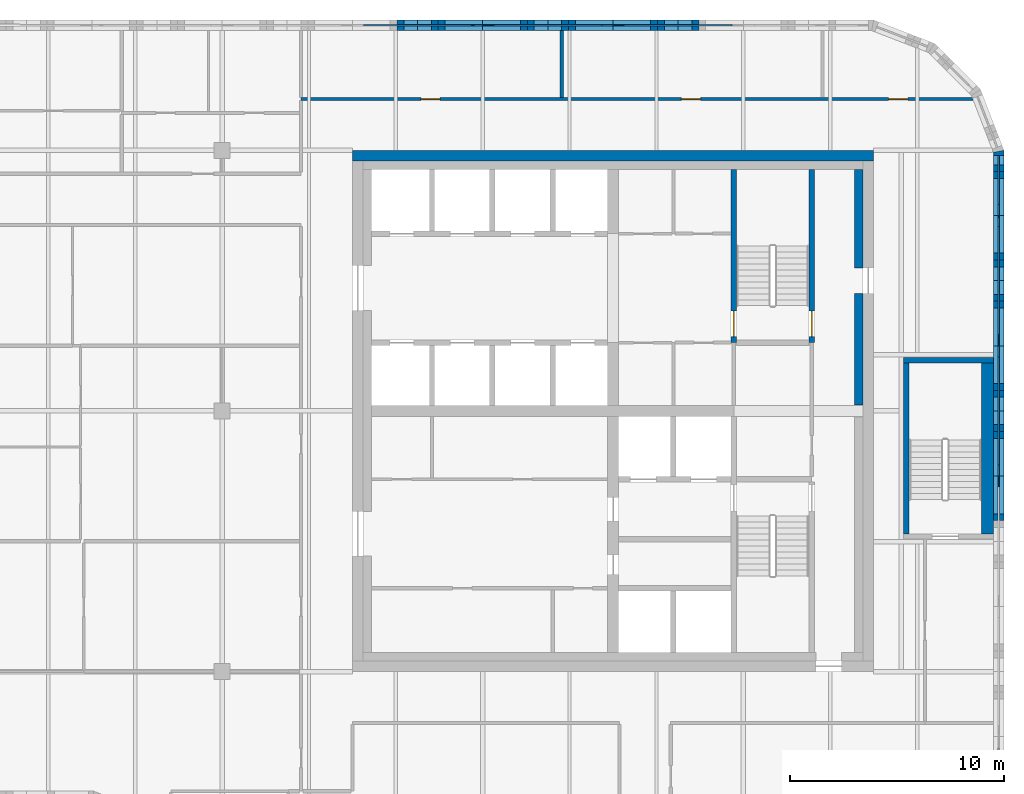
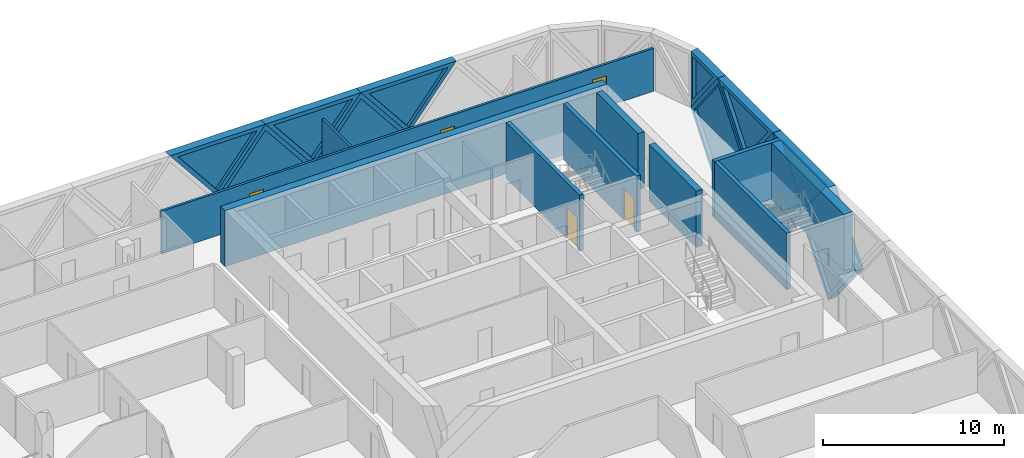
# One storey, part 12 of 15: 21 walls, 11 plates, 5 doors, 16 openings.
"""IFC4 building model written with IfcOpenShell, lengths in metres."""

from ifc_helpers import new_model, si_unit, direction, frame, frame_2d, origin, place, context, subcontext, project, spatial, polyline, rectangle, outline, extrude, faceted_brep, source, transform, mapped, material, layer, layer_set, type_object, element, fill, save


model = new_model("IFC4")

# Units and contexts
model_context = context("Model", 3, precision=1e-05, world=origin(), true_north=direction((0.0, 1.0)))
body_context = subcontext(model_context, "Body", "Model", "MODEL_VIEW")
ifc_project = project(units=[si_unit("LENGTHUNIT", "METRE"), si_unit("AREAUNIT", "SQUARE_METRE"), si_unit("VOLUMEUNIT", "CUBIC_METRE"), si_unit("PLANEANGLEUNIT", "RADIAN"), si_unit("MASSUNIT", "GRAM", prefix="KILO")], contexts=[model_context])

# Site, building, storey
site_placement = place(None, origin())
site = spatial("IfcSite", under=ifc_project, at=site_placement, CompositionType="ELEMENT")
building_placement = place(site_placement, origin())
building = spatial("IfcBuilding", under=site, at=building_placement, Name="Tessera Gate Towers", CompositionType="ELEMENT")
storey_placement = place(building_placement, frame((0.0, 0.0, 228.300048828125)))
storey = spatial("IfcBuildingStorey", under=building, at=storey_placement, Name="L57", CompositionType="ELEMENT", Elevation=228.300048828125)

# Wall, opening, door
ifc_material_1 = material(Name="Concrete C40/50", Category="concrete")
ifc_layer_1 = layer(ifc_material_1, 0.25)
ifc_layer_set_1 = layer_set([ifc_layer_1], Name="CORE ENCLOSURE WALL 250")
wall_type_1 = type_object("IfcWallType", Name="CORE ENCLOSURE WALL 250", PredefinedType="SOLIDWALL", material=ifc_layer_set_1)
wall_1_placement = place(storey_placement, frame((48.35009765625, 47.89990234375, 0.0), z_axis=(0.0, 0.0, 1.0), x_axis=(0.0, -1.0, 0.0)))
wall_1 = element("IfcWall", 1, at=wall_1_placement, inside=storey, type_object=wall_type_1, Name="L57 shaft and stair enclosure wall", PredefinedType="SOLIDWALL", context=body_context, shape_type="SweptSolid", body=[
    extrude(rectangle(XDim=8.099853515625, YDim=0.25, at=frame_2d((4.0498046875, 0.0))), origin(), (0.0, 0.0, 1.0), 3.800048828125),
])
shared_shape_1 = source(origin(), body_context, "Body", "SweptSolid", [
    extrude(rectangle(XDim=1.199951171875, YDim=2.10009765625, at=frame_2d((0.60009765625, 1.050048828125))), frame((0.0, 0.135009765625, 0.0), z_axis=(0.0, -1.0, 0.0), x_axis=(1.0, 0.0, 0.0)), (0.0, 0.0, 1.0), 0.27001953125),
])
opening_1_placement = place(wall_1_placement, frame((6.625, 0.0, 0.0)))
opening_1 = element("IfcOpeningElement", 2, at=opening_1_placement, cuts=wall_1, Name="Opening SD-ST2-1", PredefinedType="OPENING", context=body_context, shape_type="MappedRepresentation", body=[
    mapped(shared_shape_1, transform((0.0, 0.0, 0.0), scale=1.0)),
])
ifc_material_2 = material(Name="Hollow steel fire door", Category="steel")
door_type_1 = type_object("IfcDoorType", Name="CORE DOOR SD 1200x2100", OperationType="NOTDEFINED", PredefinedType="DOOR", material=ifc_material_2)
shared_shape_2 = source(origin(), body_context, "Body", "SweptSolid", [
    extrude(rectangle(XDim=1.199951171875, YDim=2.10009765625, at=frame_2d((0.60009765625, 1.050048828125))), frame((0.0, 0.02490234375, 0.0), z_axis=(0.0, -1.0, 0.0), x_axis=(1.0, 0.0, 0.0)), (0.0, 0.0, 1.0), 0.050048828125),
])
door_1_placement = place(opening_1_placement, origin())
door_1 = element("IfcDoor", 3, at=door_1_placement, inside=storey, type_object=door_type_1, Name="Stair door", OperationType="SINGLE_SWING_RIGHT", OverallHeight=2.10009765625, OverallWidth=1.199951171875, PredefinedType="DOOR", context=body_context, shape_type="MappedRepresentation", body=[
    mapped(shared_shape_2, transform((0.0, 0.0, 0.0), scale=1.0)),
])
fill(opening_1, door_1)

wall_2_placement = place(storey_placement, frame((52.0, 39.800048828125, 0.0), z_axis=(0.0, 0.0, 1.0), x_axis=(0.0, 1.0, 0.0)))
wall_2 = element("IfcWall", 4, at=wall_2_placement, inside=storey, type_object=wall_type_1, Name="L57 shaft and stair enclosure wall", PredefinedType="SOLIDWALL", context=body_context, shape_type="SweptSolid", body=[
    extrude(rectangle(XDim=8.099853515625, YDim=0.25, at=frame_2d((4.0498046875, 0.0))), origin(), (0.0, 0.0, 1.0), 3.800048828125),
])
opening_2_placement = place(wall_2_placement, frame((0.27490234375, 0.0, 0.0)))
opening_2 = element("IfcOpeningElement", 5, at=opening_2_placement, cuts=wall_2, Name="Opening SD-ST2-2", PredefinedType="OPENING", context=body_context, shape_type="MappedRepresentation", body=[
    mapped(shared_shape_1, transform((0.0, 0.0, 0.0), scale=1.0)),
])
door_2_placement = place(opening_2_placement, origin())
door_2 = element("IfcDoor", 6, at=door_2_placement, inside=storey, type_object=door_type_1, Name="Stair door", OperationType="SINGLE_SWING_LEFT", OverallHeight=2.10009765625, OverallWidth=1.199951171875, PredefinedType="DOOR", context=body_context, shape_type="MappedRepresentation", body=[
    mapped(shared_shape_2, transform((0.0, 0.0, 0.0), scale=1.0)),
])
fill(opening_2, door_2)

# Walls
wall_3_placement = place(storey_placement, frame((56.425048828125, 30.85009765625, 0.0), z_axis=(0.0, 0.0, 1.0), x_axis=(0.0, 1.0, 0.0)))
element("IfcWall", 7, at=wall_3_placement, inside=storey, type_object=wall_type_1, Name="L57 ST5 enclosure wall", PredefinedType="SOLIDWALL", context=body_context, shape_type="SweptSolid", body=[
    extrude(rectangle(XDim=8.0, YDim=0.25, at=frame_2d((4.0, 0.0))), origin(), (0.0, 0.0, 1.0), 3.800048828125),
])
wall_4_placement = place(storey_placement, frame((56.300048828125, 38.97509765625, 0.0), z_axis=(0.0, 0.0, 1.0), x_axis=(1.0, 0.0, 0.0)))
element("IfcWall", 8, at=wall_4_placement, inside=storey, type_object=wall_type_1, Name="L57 ST5 enclosure wall", PredefinedType="SOLIDWALL", context=body_context, shape_type="SweptSolid", body=[
    extrude(rectangle(XDim=4.199951171875, YDim=0.25, at=frame_2d((2.10009765625, 0.0))), origin(), (0.0, 0.0, 1.0), 3.800048828125),
])
ifc_material_3 = material(Name="Concrete C40/50", Category="concrete")
ifc_layer_2 = layer(ifc_material_3, 0.550048828125)
ifc_layer_set_2 = layer_set([ifc_layer_2], Name="CORE ENCLOSURE WALL 550")
wall_type_2 = type_object("IfcWallType", Name="CORE ENCLOSURE WALL 550", PredefinedType="SOLIDWALL", material=ifc_layer_set_2)
wall_5_placement = place(storey_placement, frame((60.22509765625, 38.85009765625, 0.0), z_axis=(0.0, 0.0, 1.0), x_axis=(0.0, -1.0, 0.0)))
element("IfcWall", 9, at=wall_5_placement, inside=storey, type_object=wall_type_2, Name="L57 ST5 enclosure wall", PredefinedType="SOLIDWALL", context=body_context, shape_type="SweptSolid", body=[
    extrude(rectangle(XDim=8.0, YDim=0.550048828125, at=frame_2d((4.0, 0.0))), origin(), (0.0, 0.0, 1.0), 3.800048828125),
])
ifc_material_4 = material(Name="Concrete C50/60", Category="concrete")
ifc_layer_3 = layer(ifc_material_4, 0.5)
ifc_layer_set_3 = layer_set([ifc_layer_3], Name="CORE SHEAR WALL 500 C50/60")
wall_type_3 = type_object("IfcWallType", Name="CORE SHEAR WALL 500 C50/60", PredefinedType="SHEAR", material=ifc_layer_set_3)
wall_6_placement = place(storey_placement, frame((30.5, 48.550048828125, 0.0), z_axis=(0.0, 0.0, 1.0), x_axis=(1.0, 0.0, 0.0)))
element("IfcWall", 10, at=wall_6_placement, inside=storey, type_object=wall_type_3, Name="Core wall N L57", PredefinedType="SHEAR", context=body_context, shape_type="SweptSolid", body=[
    extrude(rectangle(XDim=24.39990234375, YDim=0.5, at=frame_2d((12.199951171875, 0.0))), origin(), (0.0, 0.0, 1.0), 3.800048828125),
])
ifc_material_5 = material(Name="Concrete C50/60", Category="concrete")
ifc_layer_4 = layer(ifc_material_5, 0.39990234375)
ifc_layer_set_4 = layer_set([ifc_layer_4], Name="CORE WALL THICKENING 400")
wall_type_4 = type_object("IfcWallType", Name="CORE WALL THICKENING 400", PredefinedType="SOLIDWALL", material=ifc_layer_set_4)
wall_7_placement = place(storey_placement, frame((54.199951171875, 36.8798828125, 0.0), z_axis=(0.0, 0.0, 1.0), x_axis=(0.0, 1.0, 0.0)))
element("IfcWall", 11, at=wall_7_placement, inside=storey, type_object=wall_type_4, Name="Core wall thickening E L57", PredefinedType="SOLIDWALL", context=body_context, shape_type="SweptSolid", body=[
    extrude(rectangle(XDim=5.22021484375, YDim=0.39990234375, at=frame_2d((2.610107421875, 0.0))), origin(), (0.0, 0.0, 1.0), 3.800048828125),
])
wall_8_placement = place(storey_placement, frame((54.199951171875, 43.300048828125, 0.0), z_axis=(0.0, 0.0, 1.0), x_axis=(0.0, 1.0, 0.0)))
element("IfcWall", 12, at=wall_8_placement, inside=storey, type_object=wall_type_4, Name="Core wall thickening E L57", PredefinedType="SOLIDWALL", context=body_context, shape_type="SweptSolid", body=[
    extrude(rectangle(XDim=4.599853515625, YDim=0.39990234375, at=frame_2d((2.2998046875, 0.0))), origin(), (0.0, 0.0, 1.0), 3.800048828125),
])

# Wall, openings, doors
ifc_material_6 = material(Name="Gypsum board on steel studs, mineral wool", Category="steel")
ifc_layer_5 = layer(ifc_material_6, 0.14990234375)
ifc_layer_set_5 = layer_set([ifc_layer_5], Name="CORRIDOR WALL 150")
wall_type_5 = type_object("IfcWallType", Name="CORRIDOR WALL 150", PredefinedType="PARTITIONING", material=ifc_layer_set_5)
wall_9_placement = place(storey_placement, frame((28.10009765625, 51.199951171875, 0.0), z_axis=(0.0, 0.0, 1.0), x_axis=(1.0, 0.0, 0.0)))
wall_9 = element("IfcWall", 13, at=wall_9_placement, inside=storey, type_object=wall_type_5, Name="T1-L57-PW-052", PredefinedType="PARTITIONING", context=body_context, shape_type="SweptSolid", body=[
    extrude(rectangle(XDim=31.438232421875, YDim=0.14990234375, at=frame_2d((15.71923828125, 0.0))), origin(), (0.0, 0.0, 1.0), 2.887939453125),
])
shared_shape_3 = source(origin(), body_context, "Body", "SweptSolid", [
    extrude(rectangle(XDim=0.89990234375, YDim=2.10009765625, at=frame_2d((0.449951171875, 1.050048828125))), frame((0.0, 0.0849609375, 0.0), z_axis=(0.0, -1.0, 0.0), x_axis=(1.0, 0.0, 0.0)), (0.0, 0.0, 1.0), 0.169921875),
])
opening_3_placement = place(wall_9_placement, frame((27.5009765625, 0.0, 0.0)))
opening_3 = element("IfcOpeningElement", 14, at=opening_3_placement, cuts=wall_9, Name="Opening D890FD60-A20-05", PredefinedType="OPENING", context=body_context, shape_type="MappedRepresentation", body=[
    mapped(shared_shape_3, transform((0.0, 0.0, 0.0), scale=1.0)),
])
opening_4_placement = place(wall_9_placement, frame((5.60009765625, 0.0, 0.0)))
opening_4 = element("IfcOpeningElement", 15, at=opening_4_placement, cuts=wall_9, Name="Opening D890FD60-A20-09", PredefinedType="OPENING", context=body_context, shape_type="MappedRepresentation", body=[
    mapped(shared_shape_3, transform((0.0, 0.0, 0.0), scale=1.0)),
])
opening_5_placement = place(wall_9_placement, frame((17.800048828125, 0.0, 0.0)))
opening_5 = element("IfcOpeningElement", 16, at=opening_5_placement, cuts=wall_9, Name="Opening D890FD60-A20-11", PredefinedType="OPENING", context=body_context, shape_type="MappedRepresentation", body=[
    mapped(shared_shape_3, transform((0.0, 0.0, 0.0), scale=1.0)),
])
ifc_material_7 = material(Name="Timber door leaf in steel frame", Category="steel")
door_type_2 = type_object("IfcDoorType", Name="CORRIDOR DOOR 900 FD60", OperationType="NOTDEFINED", PredefinedType="DOOR", material=ifc_material_7)
shared_shape_4 = source(origin(), body_context, "Body", "SweptSolid", [
    extrude(rectangle(XDim=0.89990234375, YDim=2.10009765625, at=frame_2d((0.449951171875, 1.050048828125))), frame((0.0, 0.02490234375, 0.0), z_axis=(0.0, -1.0, 0.0), x_axis=(1.0, 0.0, 0.0)), (0.0, 0.0, 1.0), 0.050048828125),
])
door_3_placement = place(opening_3_placement, origin())
door_3 = element("IfcDoor", 17, at=door_3_placement, inside=storey, type_object=door_type_2, Name="T1-L57-PD-017", OperationType="SINGLE_SWING_LEFT", OverallHeight=2.10009765625, OverallWidth=0.89990234375, PredefinedType="DOOR", context=body_context, shape_type="MappedRepresentation", body=[
    mapped(shared_shape_4, transform((0.0, 0.0, 0.0), scale=1.0)),
])
fill(opening_3, door_3)
door_4_placement = place(opening_4_placement, origin())
door_4 = element("IfcDoor", 18, at=door_4_placement, inside=storey, type_object=door_type_2, Name="T1-L57-PD-024", OperationType="SINGLE_SWING_LEFT", OverallHeight=2.10009765625, OverallWidth=0.89990234375, PredefinedType="DOOR", context=body_context, shape_type="MappedRepresentation", body=[
    mapped(shared_shape_4, transform((0.0, 0.0, 0.0), scale=1.0)),
])
fill(opening_4, door_4)
door_5_placement = place(opening_5_placement, origin())
door_5 = element("IfcDoor", 19, at=door_5_placement, inside=storey, type_object=door_type_2, Name="T1-L57-PD-026", OperationType="SINGLE_SWING_LEFT", OverallHeight=2.10009765625, OverallWidth=0.89990234375, PredefinedType="DOOR", context=body_context, shape_type="MappedRepresentation", body=[
    mapped(shared_shape_4, transform((0.0, 0.0, 0.0), scale=1.0)),
])
fill(opening_5, door_5)

# Wall
ifc_material_8 = material(Name="Gypsum board on steel studs, mineral wool", Category="steel")
ifc_layer_6 = layer(ifc_material_8, 0.14990234375)
ifc_layer_set_6 = layer_set([ifc_layer_6], Name="TENANCY WALL 150")
wall_type_6 = type_object("IfcWallType", Name="TENANCY WALL 150", PredefinedType="PARTITIONING", material=ifc_layer_set_6)
wall_10_placement = place(storey_placement, frame((40.300048828125, 51.27587890625, 0.0), z_axis=(0.0, 0.0, 1.0), x_axis=(0.0, 1.0, 0.0)))
element("IfcWall", 20, at=wall_10_placement, inside=storey, type_object=wall_type_6, Name="T1-L57-PW-054", PredefinedType="PARTITIONING", context=body_context, shape_type="SweptSolid", body=[
    extrude(rectangle(XDim=3.1240234375, YDim=0.14990234375, at=frame_2d((1.56201171875, 0.0))), origin(), (0.0, 0.0, 1.0), 2.887939453125),
])

# Wall, opening, plate
ifc_material_9 = material(Name="Precast concrete C60/75 white", Category="concrete")
ifc_layer_7 = layer(ifc_material_9, 0.5)
ifc_layer_set_7 = layer_set([ifc_layer_7], Name="TS1 tessera")
wall_type_7 = type_object("IfcWallType", Name="TS1 tessera", PredefinedType="SOLIDWALL", material=ifc_layer_set_7)
shared_shape_5 = source(origin(), body_context, "Body", "Brep", [
    faceted_brep([(3.050048828125, -0.25, 0.0), (6.099853515625, -0.25, 3.7998046875), (6.099853515625, -0.25, 3.80029296875), (3.050048828125, -0.25, 7.60009765625), (0.0, -0.25, 3.800048828125), (0.0, 0.25, 3.800048828125), (3.050048828125, 0.25, 7.60009765625), (6.099853515625, 0.25, 3.80029296875), (6.099853515625, 0.25, 3.7998046875), (3.050048828125, 0.25, 0.0)], [[[0, 1, 2, 3, 4]], [[5, 6, 7, 8, 9]], [[9, 8, 1, 0]], [[7, 6, 3, 2]], [[6, 5, 4, 3]], [[5, 9, 0, 4]], [[1, 8, 7, 2]]]),
])
wall_11_placement = place(storey_placement, frame((60.75, 36.60009765625, -3.800048828125), z_axis=(0.0, 0.0, 1.0), x_axis=(0.0, 1.0, 0.0)))
wall_11 = element("IfcWall", 21, at=wall_11_placement, inside=storey, type_object=wall_type_7, Name="Precast tessera T1 TS1-1020", PredefinedType="SOLIDWALL", context=body_context, shape_type="MappedRepresentation", body=[
    mapped(shared_shape_5, transform((0.0, 0.0, 0.0), scale=1.0)),
])
shared_shape_6 = source(origin(), body_context, "Body", "SweptSolid", [
    extrude(outline(polyline([(3.050048828125, 0.3994140625), (5.779541015625, 3.800048828125), (3.050048828125, 7.20068359375), (0.320556640625, 3.800048828125), (3.050048828125, 0.3994140625)])), frame((0.0, 0.260009765625, 0.0), z_axis=(0.0, -1.0, 0.0), x_axis=(1.0, 0.0, 0.0)), (0.0, 0.0, 1.0), 0.52001953125),
])
opening_6_placement = place(wall_11_placement, origin())
opening_6 = element("IfcOpeningElement", 22, at=opening_6_placement, cuts=wall_11, Name="Opening T1-PL2-2082", PredefinedType="OPENING", context=body_context, shape_type="MappedRepresentation", body=[
    mapped(shared_shape_6, transform((0.0, 0.0, 0.0), scale=1.0)),
])
ifc_material_10 = material(Name="Low-e laminated glass", Category="glass")
ifc_layer_8 = layer(ifc_material_10, 0.06005859375)
ifc_layer_set_8 = layer_set([ifc_layer_8], Name="PL2 rhombic pane")
plate_type_1 = type_object("IfcPlateType", Name="PL2 rhombic pane", PredefinedType="SHEET", material=ifc_layer_set_8)
shared_shape_7 = source(origin(), body_context, "Body", "SweptSolid", [
    extrude(outline(polyline([(3.050048828125, 0.3994140625), (5.779541015625, 3.800048828125), (3.050048828125, 7.20068359375), (0.320556640625, 3.800048828125), (3.050048828125, 0.3994140625)])), frame((0.0, 0.030029296875, 0.0), z_axis=(0.0, -1.0, 0.0), x_axis=(1.0, 0.0, 0.0)), (0.0, 0.0, 1.0), 0.06005859375),
])
plate_1_placement = place(opening_6_placement, origin())
plate_1 = element("IfcPlate", 23, at=plate_1_placement, inside=storey, type_object=plate_type_1, Name="Glass pane T1 PL2-2082", PredefinedType="SHEET", context=body_context, shape_type="MappedRepresentation", body=[
    mapped(shared_shape_7, transform((0.0, 0.0, 0.0), scale=1.0)),
])
fill(opening_6, plate_1)

wall_12_placement = place(storey_placement, frame((39.64990234375, 54.64990234375, -3.800048828125), z_axis=(0.0, 0.0, 1.0), x_axis=(-1.0, 0.0, 0.0)))
wall_12 = element("IfcWall", 24, at=wall_12_placement, inside=storey, type_object=wall_type_7, Name="Precast tessera T1 TS1-1024", PredefinedType="SOLIDWALL", context=body_context, shape_type="MappedRepresentation", body=[
    mapped(shared_shape_5, transform((0.0, 0.0, 0.0), scale=1.0)),
])
opening_7_placement = place(wall_12_placement, origin())
opening_7 = element("IfcOpeningElement", 25, at=opening_7_placement, cuts=wall_12, Name="Opening T1-PL2-2090", PredefinedType="OPENING", context=body_context, shape_type="MappedRepresentation", body=[
    mapped(shared_shape_6, transform((0.0, 0.0, 0.0), scale=1.0)),
])
plate_2_placement = place(opening_7_placement, origin())
plate_2 = element("IfcPlate", 26, at=plate_2_placement, inside=storey, type_object=plate_type_1, Name="Glass pane T1 PL2-2090", PredefinedType="SHEET", context=body_context, shape_type="MappedRepresentation", body=[
    mapped(shared_shape_7, transform((0.0, 0.0, 0.0), scale=1.0)),
])
fill(opening_7, plate_2)

shared_shape_8 = source(origin(), body_context, "Body", "SweptSolid", [
    extrude(outline(polyline([(3.050048828125, 0.0), (6.10009765625, 3.800048828125), (3.050048828125, 7.60009765625), (0.0, 3.800048828125), (3.050048828125, 0.0)])), frame((0.0, 0.25, 0.0), z_axis=(0.0, -1.0, 0.0), x_axis=(1.0, 0.0, 0.0)), (0.0, 0.0, 1.0), 0.5),
])
wall_13_placement = place(storey_placement, frame((60.75, 30.5, -3.800048828125), z_axis=(0.0, 0.0, 1.0), x_axis=(0.0, 1.0, 0.0)))
wall_13 = element("IfcWall", 27, at=wall_13_placement, inside=storey, type_object=wall_type_7, Name="Precast tessera T1 TS1-1019", PredefinedType="SOLIDWALL", context=body_context, shape_type="MappedRepresentation", body=[
    mapped(shared_shape_8, transform((0.0, 0.0, 0.0), scale=1.0)),
])
opening_8_placement = place(wall_13_placement, origin())
opening_8 = element("IfcOpeningElement", 28, at=opening_8_placement, cuts=wall_13, Name="Opening T1-PL2-2081", PredefinedType="OPENING", context=body_context, shape_type="MappedRepresentation", body=[
    mapped(shared_shape_6, transform((0.0, 0.0, 0.0), scale=1.0)),
])
plate_3_placement = place(opening_8_placement, origin())
plate_3 = element("IfcPlate", 29, at=plate_3_placement, inside=storey, type_object=plate_type_1, Name="Glass pane T1 PL2-2081", PredefinedType="SHEET", context=body_context, shape_type="MappedRepresentation", body=[
    mapped(shared_shape_7, transform((0.0, 0.0, 0.0), scale=1.0)),
])
fill(opening_8, plate_3)

wall_14_placement = place(storey_placement, frame((45.75, 54.64990234375, -3.800048828125), z_axis=(0.0, 0.0, 1.0), x_axis=(-1.0, 0.0, 0.0)))
wall_14 = element("IfcWall", 30, at=wall_14_placement, inside=storey, type_object=wall_type_7, Name="Precast tessera T1 TS1-1023", PredefinedType="SOLIDWALL", context=body_context, shape_type="MappedRepresentation", body=[
    mapped(shared_shape_8, transform((0.0, 0.0, 0.0), scale=1.0)),
])
opening_9_placement = place(wall_14_placement, origin())
opening_9 = element("IfcOpeningElement", 31, at=opening_9_placement, cuts=wall_14, Name="Opening T1-PL2-2089", PredefinedType="OPENING", context=body_context, shape_type="MappedRepresentation", body=[
    mapped(shared_shape_6, transform((0.0, 0.0, 0.0), scale=1.0)),
])
plate_4_placement = place(opening_9_placement, origin())
plate_4 = element("IfcPlate", 32, at=plate_4_placement, inside=storey, type_object=plate_type_1, Name="Glass pane T1 PL2-2089", PredefinedType="SHEET", context=body_context, shape_type="MappedRepresentation", body=[
    mapped(shared_shape_7, transform((0.0, 0.0, 0.0), scale=1.0)),
])
fill(opening_9, plate_4)

shared_shape_9 = source(origin(), body_context, "Body", "Brep", [
    faceted_brep([(3.050048828125, -0.25, 0.0), (6.053466796875, -0.25, 3.800048828125), (3.050048828125, -0.25, 7.60009765625), (0.0, -0.25, 3.800048828125), (0.0, 0.25, 3.800048828125), (3.050048828125, 0.25, 7.60009765625), (6.0068359375, 0.25, 3.85888671875), (6.0068359375, 0.25, 3.7412109375), (3.050048828125, 0.25, 0.0), (6.053466796875, 0.0, 3.800048828125)], [[[0, 1, 2, 3]], [[4, 5, 6, 7, 8]], [[8, 7, 9, 1, 0]], [[6, 5, 2, 1, 9]], [[5, 4, 3, 2]], [[4, 8, 0, 3]], [[9, 7, 6]]]),
])
wall_15_placement = place(storey_placement, frame((60.75, 42.699951171875, -3.800048828125), z_axis=(0.0, 0.0, 1.0), x_axis=(0.0, 1.0, 0.0)))
wall_15 = element("IfcWall", 33, at=wall_15_placement, inside=storey, type_object=wall_type_7, Name="Precast tessera T1 TS1-1021", PredefinedType="SOLIDWALL", context=body_context, shape_type="MappedRepresentation", body=[
    mapped(shared_shape_9, transform((0.0, 0.0, 0.0), scale=1.0)),
])
shared_shape_10 = source(origin(), body_context, "Body", "SweptSolid", [
    extrude(outline(polyline([(3.048583984375, 0.4013671875), (5.73486328125, 3.800048828125), (3.048583984375, 7.19873046875), (0.320556640625, 3.800048828125), (3.048583984375, 0.4013671875)])), frame((0.0, 0.260009765625, 0.0), z_axis=(0.0, -1.0, 0.0), x_axis=(1.0, 0.0, 0.0)), (0.0, 0.0, 1.0), 0.52001953125),
])
opening_10_placement = place(wall_15_placement, origin())
opening_10 = element("IfcOpeningElement", 34, at=opening_10_placement, cuts=wall_15, Name="Opening T1-PL2-2083", PredefinedType="OPENING", context=body_context, shape_type="MappedRepresentation", body=[
    mapped(shared_shape_10, transform((0.0, 0.0, 0.0), scale=1.0)),
])
shared_shape_11 = source(origin(), body_context, "Body", "SweptSolid", [
    extrude(outline(polyline([(3.048583984375, 0.4013671875), (5.73486328125, 3.800048828125), (3.048583984375, 7.19873046875), (0.320556640625, 3.800048828125), (3.048583984375, 0.4013671875)])), frame((0.0, 0.030029296875, 0.0), z_axis=(0.0, -1.0, 0.0), x_axis=(1.0, 0.0, 0.0)), (0.0, 0.0, 1.0), 0.06005859375),
])
plate_5_placement = place(opening_10_placement, origin())
plate_5 = element("IfcPlate", 35, at=plate_5_placement, inside=storey, type_object=plate_type_1, Name="Glass pane T1 PL2-2083", PredefinedType="SHEET", context=body_context, shape_type="MappedRepresentation", body=[
    mapped(shared_shape_11, transform((0.0, 0.0, 0.0), scale=1.0)),
])
fill(opening_10, plate_5)

ifc_material_11 = material(Name="Precast concrete C60/75 white", Category="concrete")
ifc_layer_9 = layer(ifc_material_11, 0.5)
ifc_layer_set_9 = layer_set([ifc_layer_9], Name="TS2 half tessera")
wall_type_8 = type_object("IfcWallType", Name="TS2 half tessera", PredefinedType="SOLIDWALL", material=ifc_layer_set_9)
shared_shape_12 = source(origin(), body_context, "Body", "Brep", [
    faceted_brep([(3.050048828125, -0.25, 0.0), (6.099853515625, -0.25, 3.7998046875), (6.099853515625, -0.25, 3.800048828125), (0.0, -0.25, 3.800048828125), (0.0, 0.25, 3.800048828125), (6.099853515625, 0.25, 3.800048828125), (6.099853515625, 0.25, 3.7998046875), (3.050048828125, 0.25, 0.0)], [[[0, 1, 2, 3]], [[4, 5, 6, 7]], [[7, 6, 1, 0]], [[5, 4, 3, 2]], [[4, 7, 0, 3]], [[1, 6, 5, 2]]]),
])
wall_16_placement = place(storey_placement, frame((60.75, 33.550048828125, 0.0), z_axis=(0.0, 0.0, 1.0), x_axis=(0.0, 1.0, 0.0)))
wall_16 = element("IfcWall", 36, at=wall_16_placement, inside=storey, type_object=wall_type_8, Name="Precast half tessera T1 TS2-0261", PredefinedType="SOLIDWALL", context=body_context, shape_type="MappedRepresentation", body=[
    mapped(shared_shape_12, transform((0.0, 0.0, 0.0), scale=1.0)),
])
shared_shape_13 = source(origin(), body_context, "Body", "SweptSolid", [
    extrude(outline(polyline([(3.050048828125, 0.3994140625), (5.578857421875, 3.550048828125), (0.521240234375, 3.550048828125), (3.050048828125, 0.3994140625)])), frame((0.0, 0.260009765625, 0.0), z_axis=(0.0, -1.0, 0.0), x_axis=(1.0, 0.0, 0.0)), (0.0, 0.0, 1.0), 0.52001953125),
])
opening_11_placement = place(wall_16_placement, origin())
opening_11 = element("IfcOpeningElement", 37, at=opening_11_placement, cuts=wall_16, Name="Opening T1-PL1-0529", PredefinedType="OPENING", context=body_context, shape_type="MappedRepresentation", body=[
    mapped(shared_shape_13, transform((0.0, 0.0, 0.0), scale=1.0)),
])
ifc_material_12 = material(Name="Low-e laminated glass", Category="glass")
ifc_layer_10 = layer(ifc_material_12, 0.06005859375)
ifc_layer_set_10 = layer_set([ifc_layer_10], Name="PL1 triangular pane")
plate_type_2 = type_object("IfcPlateType", Name="PL1 triangular pane", PredefinedType="SHEET", material=ifc_layer_set_10)
shared_shape_14 = source(origin(), body_context, "Body", "SweptSolid", [
    extrude(outline(polyline([(3.050048828125, 0.3994140625), (5.578857421875, 3.550048828125), (0.521240234375, 3.550048828125), (3.050048828125, 0.3994140625)])), frame((0.0, 0.030029296875, 0.0), z_axis=(0.0, -1.0, 0.0), x_axis=(1.0, 0.0, 0.0)), (0.0, 0.0, 1.0), 0.06005859375),
])
plate_6_placement = place(opening_11_placement, origin())
plate_6 = element("IfcPlate", 38, at=plate_6_placement, inside=storey, type_object=plate_type_2, Name="Glass pane T1 PL1-0529", PredefinedType="SHEET", context=body_context, shape_type="MappedRepresentation", body=[
    mapped(shared_shape_14, transform((0.0, 0.0, 0.0), scale=1.0)),
])
fill(opening_11, plate_6)

wall_17_placement = place(storey_placement, frame((42.699951171875, 54.64990234375, 0.0), z_axis=(0.0, 0.0, 1.0), x_axis=(-1.0, 0.0, 0.0)))
wall_17 = element("IfcWall", 39, at=wall_17_placement, inside=storey, type_object=wall_type_8, Name="Precast half tessera T1 TS2-0265", PredefinedType="SOLIDWALL", context=body_context, shape_type="MappedRepresentation", body=[
    mapped(shared_shape_12, transform((0.0, 0.0, 0.0), scale=1.0)),
])
opening_12_placement = place(wall_17_placement, origin())
opening_12 = element("IfcOpeningElement", 40, at=opening_12_placement, cuts=wall_17, Name="Opening T1-PL1-0537", PredefinedType="OPENING", context=body_context, shape_type="MappedRepresentation", body=[
    mapped(shared_shape_13, transform((0.0, 0.0, 0.0), scale=1.0)),
])
plate_7_placement = place(opening_12_placement, origin())
plate_7 = element("IfcPlate", 41, at=plate_7_placement, inside=storey, type_object=plate_type_2, Name="Glass pane T1 PL1-0537", PredefinedType="SHEET", context=body_context, shape_type="MappedRepresentation", body=[
    mapped(shared_shape_14, transform((0.0, 0.0, 0.0), scale=1.0)),
])
fill(opening_12, plate_7)

shared_shape_15 = source(origin(), body_context, "Body", "SweptSolid", [
    extrude(outline(polyline([(3.050048828125, 0.0), (6.10009765625, 3.800048828125), (0.0, 3.800048828125), (3.050048828125, 0.0)])), frame((0.0, 0.25, 0.0), z_axis=(0.0, -1.0, 0.0), x_axis=(1.0, 0.0, 0.0)), (0.0, 0.0, 1.0), 0.5),
])
wall_18_placement = place(storey_placement, frame((60.75, 39.64990234375, 0.0), z_axis=(0.0, 0.0, 1.0), x_axis=(0.0, 1.0, 0.0)))
wall_18 = element("IfcWall", 42, at=wall_18_placement, inside=storey, type_object=wall_type_8, Name="Precast half tessera T1 TS2-0262", PredefinedType="SOLIDWALL", context=body_context, shape_type="MappedRepresentation", body=[
    mapped(shared_shape_15, transform((0.0, 0.0, 0.0), scale=1.0)),
])
opening_13_placement = place(wall_18_placement, origin())
opening_13 = element("IfcOpeningElement", 43, at=opening_13_placement, cuts=wall_18, Name="Opening T1-PL1-0530", PredefinedType="OPENING", context=body_context, shape_type="MappedRepresentation", body=[
    mapped(shared_shape_13, transform((0.0, 0.0, 0.0), scale=1.0)),
])
plate_8_placement = place(opening_13_placement, origin())
plate_8 = element("IfcPlate", 44, at=plate_8_placement, inside=storey, type_object=plate_type_2, Name="Glass pane T1 PL1-0530", PredefinedType="SHEET", context=body_context, shape_type="MappedRepresentation", body=[
    mapped(shared_shape_14, transform((0.0, 0.0, 0.0), scale=1.0)),
])
fill(opening_13, plate_8)

wall_19_placement = place(storey_placement, frame((48.800048828125, 54.64990234375, 0.0), z_axis=(0.0, 0.0, 1.0), x_axis=(-1.0, 0.0, 0.0)))
wall_19 = element("IfcWall", 45, at=wall_19_placement, inside=storey, type_object=wall_type_8, Name="Precast half tessera T1 TS2-0264", PredefinedType="SOLIDWALL", context=body_context, shape_type="MappedRepresentation", body=[
    mapped(shared_shape_15, transform((0.0, 0.0, 0.0), scale=1.0)),
])
opening_14_placement = place(wall_19_placement, origin())
opening_14 = element("IfcOpeningElement", 46, at=opening_14_placement, cuts=wall_19, Name="Opening T1-PL1-0536", PredefinedType="OPENING", context=body_context, shape_type="MappedRepresentation", body=[
    mapped(shared_shape_13, transform((0.0, 0.0, 0.0), scale=1.0)),
])
plate_9_placement = place(opening_14_placement, origin())
plate_9 = element("IfcPlate", 47, at=plate_9_placement, inside=storey, type_object=plate_type_2, Name="Glass pane T1 PL1-0536", PredefinedType="SHEET", context=body_context, shape_type="MappedRepresentation", body=[
    mapped(shared_shape_14, transform((0.0, 0.0, 0.0), scale=1.0)),
])
fill(opening_14, plate_9)

wall_20_placement = place(storey_placement, frame((36.60009765625, 54.64990234375, 0.0), z_axis=(0.0, 0.0, 1.0), x_axis=(-1.0, 0.0, 0.0)))
wall_20 = element("IfcWall", 48, at=wall_20_placement, inside=storey, type_object=wall_type_8, Name="Precast half tessera T1 TS2-0266", PredefinedType="SOLIDWALL", context=body_context, shape_type="MappedRepresentation", body=[
    mapped(shared_shape_15, transform((0.0, 0.0, 0.0), scale=1.0)),
])
opening_15_placement = place(wall_20_placement, origin())
opening_15 = element("IfcOpeningElement", 49, at=opening_15_placement, cuts=wall_20, Name="Opening T1-PL1-0538", PredefinedType="OPENING", context=body_context, shape_type="MappedRepresentation", body=[
    mapped(shared_shape_13, transform((0.0, 0.0, 0.0), scale=1.0)),
])
plate_10_placement = place(opening_15_placement, origin())
plate_10 = element("IfcPlate", 50, at=plate_10_placement, inside=storey, type_object=plate_type_2, Name="Glass pane T1 PL1-0538", PredefinedType="SHEET", context=body_context, shape_type="MappedRepresentation", body=[
    mapped(shared_shape_14, transform((0.0, 0.0, 0.0), scale=1.0)),
])
fill(opening_15, plate_10)

ifc_material_13 = material(Name="Precast concrete C60/75 white", Category="concrete")
ifc_layer_11 = layer(ifc_material_13, 0.5)
ifc_layer_set_11 = layer_set([ifc_layer_11], Name="TS3 corner tessera")
wall_type_9 = type_object("IfcWallType", Name="TS3 corner tessera", PredefinedType="SOLIDWALL", material=ifc_layer_set_11)
shared_shape_16 = source(origin(), body_context, "Body", "Brep", [
    faceted_brep([(3.00341796875, -0.25, 0.0), (3.050048828125, -0.25, 0.06005859375), (3.050048828125, -0.25, 3.800048828125), (0.0, -0.25, 3.800048828125), (0.0, 0.25, 3.800048828125), (2.956787109375, 0.25, 3.800048828125), (2.956787109375, 0.25, 0.058837890625), (3.00341796875, 0.000244140625, 0.0)], [[[0, 1, 2, 3]], [[4, 5, 6]], [[1, 0, 7]], [[5, 4, 3, 2]], [[4, 6, 7, 0, 3]], [[1, 7, 6, 5, 2]]]),
])
wall_21_placement = place(storey_placement, frame((60.75, 45.75, 0.0), z_axis=(0.0, 0.0, 1.0), x_axis=(0.0, 1.0, 0.0)))
wall_21 = element("IfcWall", 51, at=wall_21_placement, inside=storey, type_object=wall_type_9, Name="Precast corner tessera T1 TS3-1349", PredefinedType="SOLIDWALL", context=body_context, shape_type="MappedRepresentation", body=[
    mapped(shared_shape_16, transform((0.0, 0.0, 0.0), scale=1.0)),
])
shared_shape_17 = source(origin(), body_context, "Body", "SweptSolid", [
    extrude(outline(polyline([(2.803466796875, 3.550048828125), (0.516357421875, 3.550048828125), (2.803466796875, 0.65625), (2.803466796875, 3.550048828125)])), frame((0.0, 0.260009765625, 0.0), z_axis=(0.0, -1.0, 0.0), x_axis=(1.0, 0.0, 0.0)), (0.0, 0.0, 1.0), 0.52001953125),
])
opening_16_placement = place(wall_21_placement, origin())
opening_16 = element("IfcOpeningElement", 52, at=opening_16_placement, cuts=wall_21, Name="Opening T1-PL1-0531", PredefinedType="OPENING", context=body_context, shape_type="MappedRepresentation", body=[
    mapped(shared_shape_17, transform((0.0, 0.0, 0.0), scale=1.0)),
])
shared_shape_18 = source(origin(), body_context, "Body", "SweptSolid", [
    extrude(outline(polyline([(2.803466796875, 3.550048828125), (0.516357421875, 3.550048828125), (2.803466796875, 0.65625), (2.803466796875, 3.550048828125)])), frame((0.0, 0.030029296875, 0.0), z_axis=(0.0, -1.0, 0.0), x_axis=(1.0, 0.0, 0.0)), (0.0, 0.0, 1.0), 0.06005859375),
])
plate_11_placement = place(opening_16_placement, origin())
plate_11 = element("IfcPlate", 53, at=plate_11_placement, inside=storey, type_object=plate_type_2, Name="Glass pane T1 PL1-0531", PredefinedType="SHEET", context=body_context, shape_type="MappedRepresentation", body=[
    mapped(shared_shape_18, transform((0.0, 0.0, 0.0), scale=1.0)),
])
fill(opening_16, plate_11)

save(model, "model.ifc")
